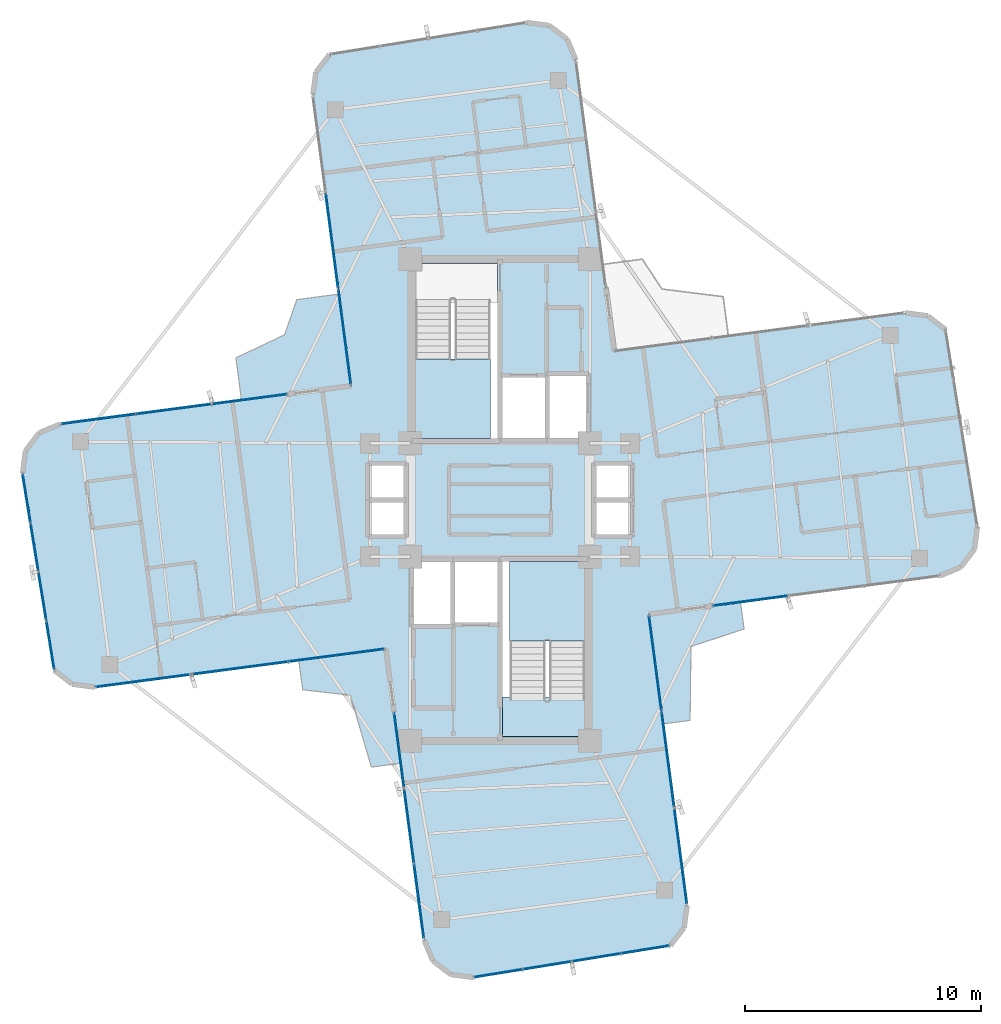
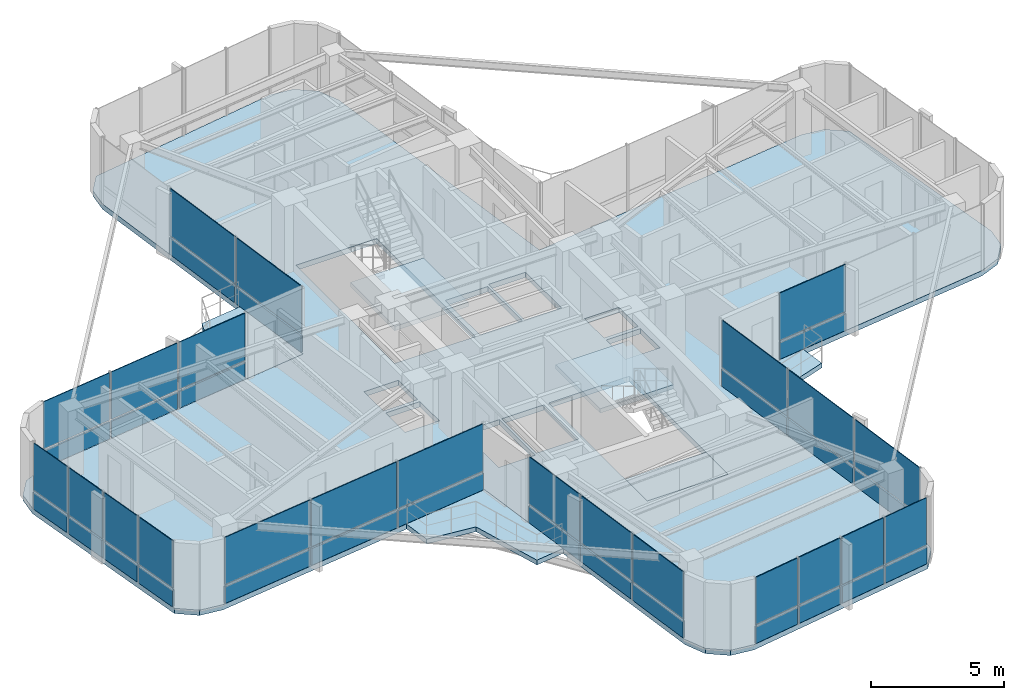
# One storey, part 17 of 22: 46 plates, 7 slabs, 10 elements without a shape of their own.
"""IFC4 building model written with IfcOpenShell, lengths in metres."""

from ifc_helpers import new_model, si_unit, direction, frame, origin, origin_2d, place, context, subcontext, project, spatial, polyline, rectangle, outline, extrude, source, transform, mapped, material, layer, layer_set, type_object, element, aggregate, save


model = new_model("IFC4")

# Units and contexts
model_context = context("Model", 3, precision=1e-05, world=origin(), true_north=direction((0.0, 1.0)))
body_context = subcontext(model_context, "Body", "Model", "MODEL_VIEW")
ifc_project = project(units=[si_unit("LENGTHUNIT", "METRE"), si_unit("AREAUNIT", "SQUARE_METRE"), si_unit("VOLUMEUNIT", "CUBIC_METRE"), si_unit("PLANEANGLEUNIT", "RADIAN"), si_unit("MASSUNIT", "GRAM", prefix="KILO")], contexts=[model_context])

# Site, building, storey
site_placement = place(None, origin())
site = spatial("IfcSite", under=ifc_project, at=site_placement, CompositionType="ELEMENT")
building_placement = place(site_placement, origin())
building = spatial("IfcBuilding", under=site, at=building_placement, Name="Sahyath Konkavel Grand Hotel", CompositionType="ELEMENT")
storey_placement = place(building_placement, frame((0.0, 0.0, 244.5)))
storey = spatial("IfcBuildingStorey", under=building, at=storey_placement, Name="L68", CompositionType="ELEMENT", Elevation=244.5)

# Slabs
ifc_material_1 = material(Name="Concrete C40/50", Category="concrete")
ifc_layer_1 = layer(ifc_material_1, 0.239990234375)
ifc_layer_set_1 = layer_set([ifc_layer_1], Name="Concrete C40/50")
slab_type_1 = type_object("IfcSlabType", Name="SLB-240", PredefinedType="FLOOR", material=ifc_layer_set_1)
slab_1_placement = place(storey_placement, frame((0.0, 0.0, -0.239990234375)))
element("IfcSlab", 1, at=slab_1_placement, inside=storey, type_object=slab_type_1, Name="L68 Structural Floor Slab", PredefinedType="FLOOR", context=body_context, shape_type="SweptSolid", body=[
    extrude(outline(polyline([(6.302001953125, -4.835693359375), (18.621826171875, -3.2138671875), (19.506591796875, -2.847412109375), (20.089599609375, -2.087646484375), (20.214599609375, -1.13818359375), (18.86474609375, 7.216064453125), (18.10498046875, 7.799072265625), (17.155517578125, 7.924072265625), (4.835693359375, 6.302001953125), (3.2138671875, 18.621826171875), (2.847412109375, 19.506591796875), (2.087646484375, 20.089599609375), (1.13818359375, 20.214599609375), (-7.216064453125, 18.86474609375), (-7.799072265625, 18.10498046875), (-7.924072265625, 17.155517578125), (-6.302001953125, 4.835693359375), (-18.621826171875, 3.2138671875), (-19.506591796875, 2.847412109375), (-20.089599609375, 2.087646484375), (-20.214599609375, 1.13818359375), (-18.86474609375, -7.216064453125), (-18.10498046875, -7.799072265625), (-17.155517578125, -7.924072265625), (-4.835693359375, -6.302001953125), (-3.2138671875, -18.621826171875), (-2.847412109375, -19.506591796875), (-2.087646484375, -20.089599609375), (-1.13818359375, -20.214599609375), (7.216064453125, -18.86474609375), (7.799072265625, -18.10498046875), (7.924072265625, -17.155517578125), (6.302001953125, -4.835693359375)]), holes=[polyline([(-3.6201171875, 2.580078125), (-0.10009765625, 2.580078125), (-0.10009765625, 10.02001953125), (-3.6201171875, 10.02001953125), (-3.6201171875, 2.580078125)]), polyline([(0.10009765625, -10.02001953125), (3.6201171875, -10.02001953125), (3.6201171875, -2.580078125), (0.10009765625, -2.580078125), (0.10009765625, -10.02001953125)]), polyline([(0.10009765625, 2.60009765625), (1.949951171875, 2.60009765625), (1.949951171875, 5.199951171875), (0.10009765625, 5.199951171875), (0.10009765625, 2.60009765625)]), polyline([(-1.949951171875, -5.199951171875), (-0.10009765625, -5.199951171875), (-0.10009765625, -2.60009765625), (-1.949951171875, -2.60009765625), (-1.949951171875, -5.199951171875)]), polyline([(2.050048828125, 2.60009765625), (3.64990234375, 2.60009765625), (3.64990234375, 5.300048828125), (2.050048828125, 5.300048828125), (2.050048828125, 2.60009765625)]), polyline([(-3.64990234375, -5.300048828125), (-2.050048828125, -5.300048828125), (-2.050048828125, -2.60009765625), (-3.64990234375, -2.60009765625), (-3.64990234375, -5.300048828125)]), polyline([(4.050048828125, 0.080078125), (5.550048828125, 0.080078125), (5.550048828125, 1.5400390625), (4.050048828125, 1.5400390625), (4.050048828125, 0.080078125)]), polyline([(4.050048828125, -1.5400390625), (5.550048828125, -1.5400390625), (5.550048828125, -0.080078125), (4.050048828125, -0.080078125), (4.050048828125, -1.5400390625)]), polyline([(-5.550048828125, 0.080078125), (-4.050048828125, 0.080078125), (-4.050048828125, 1.5400390625), (-5.550048828125, 1.5400390625), (-5.550048828125, 0.080078125)]), polyline([(-5.550048828125, -1.5400390625), (-4.050048828125, -1.5400390625), (-4.050048828125, -0.080078125), (-5.550048828125, -0.080078125), (-5.550048828125, -1.5400390625)])]), origin(), (0.0, 0.0, 1.0), 0.239990234375),
])
ifc_layer_2 = layer(ifc_material_1, 0.219970703125)
ifc_layer_set_2 = layer_set([ifc_layer_2], Name="Concrete C40/50")
slab_type_2 = type_object("IfcSlabType", Name="SLB-BALCONY-220", PredefinedType="FLOOR", material=ifc_layer_set_2)
slab_2_placement = place(storey_placement, frame((0.0, 0.0, -0.219970703125)))
element("IfcSlab", 2, at=slab_2_placement, inside=storey, type_object=slab_type_2, Name="L68 Winter-Garden Balcony NW", PredefinedType="FLOOR", context=body_context, shape_type="SweptSolid", body=[
    extrude(outline(polyline([(-6.302001953125, 4.835693359375), (-6.813232421875, 8.71826171875), (-8.60498046875, 8.482421875), (-9.118408203125, 6.99658203125), (-11.181884765625, 6.01611328125), (-10.946044921875, 4.224365234375), (-6.302001953125, 4.835693359375)])), origin(), (0.0, 0.0, 1.0), 0.219970703125),
])
slab_3_placement = place(storey_placement, frame((0.0, 0.0, -0.219970703125)))
element("IfcSlab", 3, at=slab_3_placement, inside=storey, type_object=slab_type_2, Name="L68 Winter-Garden Balcony SW", PredefinedType="FLOOR", context=body_context, shape_type="SweptSolid", body=[
    extrude(outline(polyline([(-4.835693359375, -6.302001953125), (-8.51904296875, -6.787109375), (-8.354736328125, -8.034912109375), (-6.3408203125, -8.26318359375), (-5.446044921875, -11.3095703125), (-4.1982421875, -11.145263671875), (-4.835693359375, -6.302001953125)])), origin(), (0.0, 0.0, 1.0), 0.219970703125),
])
slab_4_placement = place(storey_placement, frame((0.0, 0.0, -0.219970703125)))
element("IfcSlab", 4, at=slab_4_placement, inside=storey, type_object=slab_type_2, Name="L68 Winter-Garden Balcony SE", PredefinedType="FLOOR", context=body_context, shape_type="SweptSolid", body=[
    extrude(outline(polyline([(6.302001953125, -4.835693359375), (6.91357421875, -9.479736328125), (8.048583984375, -9.330322265625), (8.0859375, -6.20458984375), (10.333984375, -5.459716796875), (10.1845703125, -4.32470703125), (6.302001953125, -4.835693359375)])), origin(), (0.0, 0.0, 1.0), 0.219970703125),
])

# Stair, slab
stair_type = type_object("IfcStairType", Name="STR-ST16-335", PredefinedType="HALF_TURN_STAIR", material=ifc_material_1)
stair_1_placement = place(storey_placement, origin())
stair_1 = element("IfcStair", 5, at=stair_1_placement, inside=storey, type_object=stair_type, Name="L68 North Core Smokeproof Exit Stair ST-1", PredefinedType="HALF_TURN_STAIR")
ifc_layer_3 = layer(ifc_material_1, 0.199951171875)
ifc_layer_set_3 = layer_set([ifc_layer_3], Name="Concrete C40/50")
slab_type_3 = type_object("IfcSlabType", Name="SLB-STAIR-LND", PredefinedType="LANDING", material=ifc_layer_set_3)
slab_5_placement = place(storey_placement, frame((0.0, 0.0, 1.47509765625)))
slab_5 = element("IfcSlab", 6, at=slab_5_placement, type_object=slab_type_3, Name="ST-1 landing 1", PredefinedType="LANDING", context=body_context, shape_type="SweptSolid", body=[
    extrude(outline(polyline([(-3.60009765625, 5.9599609375), (-3.60009765625, 2.60009765625), (-0.39990234375, 2.60009765625), (-0.39990234375, 5.9599609375), (-3.60009765625, 5.9599609375)])), origin(), (0.0, 0.0, 1.0), 0.199951171875),
])
aggregate(stair_1, [slab_5])

stair_2_placement = place(storey_placement, origin())
stair_2 = element("IfcStair", 7, at=stair_2_placement, inside=storey, type_object=stair_type, Name="L68 South Core Smokeproof Exit Stair ST-2", PredefinedType="HALF_TURN_STAIR")
slab_6_placement = place(storey_placement, frame((0.0, 0.0, 1.47509765625)))
slab_6 = element("IfcSlab", 8, at=slab_6_placement, type_object=slab_type_3, Name="ST-2 landing 1", PredefinedType="LANDING", context=body_context, shape_type="SweptSolid", body=[
    extrude(outline(polyline([(3.60009765625, -5.9599609375), (3.60009765625, -2.60009765625), (0.39990234375, -2.60009765625), (0.39990234375, -5.9599609375), (3.60009765625, -5.9599609375)])), origin(), (0.0, 0.0, 1.0), 0.199951171875),
])
aggregate(stair_2, [slab_6])

# Slab
slab_7_placement = place(storey_placement, frame((0.0, 0.0, -0.199951171875)))
element("IfcSlab", 9, at=slab_7_placement, inside=storey, type_object=slab_type_3, Name="L68 Stair ST-2 Floor Landing Slab", PredefinedType="LANDING", context=body_context, shape_type="SweptSolid", body=[
    extrude(outline(polyline([(0.10009765625, -10.02001953125), (3.6201171875, -10.02001953125), (3.6201171875, -8.35009765625), (0.10009765625, -8.35009765625), (0.10009765625, -10.02001953125)])), origin(), (0.0, 0.0, 1.0), 0.199951171875),
])

# Curtain wall, plate
ifc_material_2 = material(Name="Anodised Bronze Aluminium & Low-E Glazing", Category="aluminium")
curtain_wall_type = type_object("IfcCurtainWallType", Name="CW-ZONE4", PredefinedType="NOTDEFINED", material=ifc_material_2)
curtain_wall_1_placement = place(storey_placement, origin())
curtain_wall_1 = element("IfcCurtainWall", 10, at=curtain_wall_1_placement, inside=storey, type_object=curtain_wall_type, Name="L68 Unitised Curtain Wall F0", PredefinedType="NOTDEFINED")
ifc_material_3 = material(Name="Warm Buff Sandstone Cladding", Category="masonry")
ifc_layer_4 = layer(ifc_material_3, 0.074951171875)
ifc_layer_set_4 = layer_set([ifc_layer_4], Name="Warm Buff Sandstone Cladding")
plate_type_1 = type_object("IfcPlateType", Name="PNL-SPANDREL-STONE", PredefinedType="SHEET", material=ifc_layer_set_4)
shared_shape_1 = source(origin(), body_context, "Body", "SweptSolid", [
    extrude(rectangle(XDim=3.13525390625, YDim=0.074951171875, at=origin_2d()), origin(), (0.0, 0.0, 1.0), 0.77001953125),
])
plate_1_placement = place(storey_placement, frame((10.612548828125, -4.268310546875, 0.0400390625), z_axis=(0.0, 0.0, 1.0), x_axis=(0.991444861374, 0.13052619222, 0.0)))
plate_1 = element("IfcPlate", 11, at=plate_1_placement, type_object=plate_type_1, Name="L68 Sandstone Relief Spandrel Panel F0-0", PredefinedType="SHEET", context=body_context, shape_type="MappedRepresentation", body=[
    mapped(shared_shape_1, transform((0.0, 0.0, 0.0), scale=1.0)),
])

# Curtain wall, plates
curtain_wall_2_placement = place(storey_placement, origin())
curtain_wall_2 = element("IfcCurtainWall", 12, at=curtain_wall_2_placement, inside=storey, type_object=curtain_wall_type, Name="L68 Unitised Curtain Wall F16", PredefinedType="NOTDEFINED")
plate_2_placement = place(storey_placement, frame((-10.612548828125, 4.268310546875, 0.0400390625), z_axis=(0.0, 0.0, 1.0), x_axis=(-0.991444861374, -0.13052619222, 0.0)))
plate_2 = element("IfcPlate", 13, at=plate_2_placement, type_object=plate_type_1, Name="L68 Sandstone Relief Spandrel Panel F16-0", PredefinedType="SHEET", context=body_context, shape_type="MappedRepresentation", body=[
    mapped(shared_shape_1, transform((0.0, 0.0, 0.0), scale=1.0)),
])
plate_3_placement = place(storey_placement, frame((-13.80029296875, 3.8486328125, 0.0400390625), z_axis=(0.0, 0.0, 1.0), x_axis=(-0.991444861374, -0.13052619222, 0.0)))
plate_3 = element("IfcPlate", 14, at=plate_3_placement, type_object=plate_type_1, Name="L68 Sandstone Relief Spandrel Panel F16-1", PredefinedType="SHEET", context=body_context, shape_type="MappedRepresentation", body=[
    mapped(shared_shape_1, transform((0.0, 0.0, 0.0), scale=1.0)),
])
plate_4_placement = place(storey_placement, frame((-16.98828125, 3.428955078125, 0.0400390625), z_axis=(0.0, 0.0, 1.0), x_axis=(-0.991444861374, -0.13052619222, 0.0)))
plate_4 = element("IfcPlate", 15, at=plate_4_placement, type_object=plate_type_1, Name="L68 Sandstone Relief Spandrel Panel F16-2", PredefinedType="SHEET", context=body_context, shape_type="MappedRepresentation", body=[
    mapped(shared_shape_1, transform((0.0, 0.0, 0.0), scale=1.0)),
])

curtain_wall_3_placement = place(storey_placement, origin())
curtain_wall_3 = element("IfcCurtainWall", 16, at=curtain_wall_3_placement, inside=storey, type_object=curtain_wall_type, Name="L68 Unitised Curtain Wall F24", PredefinedType="NOTDEFINED")
plate_5_placement = place(storey_placement, frame((-4.268310546875, -10.612548828125, 0.0400390625), z_axis=(0.0, 0.0, 1.0), x_axis=(0.13052619222, -0.991444861374, 0.0)))
plate_5 = element("IfcPlate", 17, at=plate_5_placement, type_object=plate_type_1, Name="L68 Sandstone Relief Spandrel Panel F24-0", PredefinedType="SHEET", context=body_context, shape_type="MappedRepresentation", body=[
    mapped(shared_shape_1, transform((0.0, 0.0, 0.0), scale=1.0)),
])
plate_6_placement = place(storey_placement, frame((-3.8486328125, -13.80029296875, 0.0400390625), z_axis=(0.0, 0.0, 1.0), x_axis=(0.13052619222, -0.991444861374, 0.0)))
plate_6 = element("IfcPlate", 18, at=plate_6_placement, type_object=plate_type_1, Name="L68 Sandstone Relief Spandrel Panel F24-1", PredefinedType="SHEET", context=body_context, shape_type="MappedRepresentation", body=[
    mapped(shared_shape_1, transform((0.0, 0.0, 0.0), scale=1.0)),
])
plate_7_placement = place(storey_placement, frame((-3.428955078125, -16.98828125, 0.0400390625), z_axis=(0.0, 0.0, 1.0), x_axis=(0.13052619222, -0.991444861374, 0.0)))
plate_7 = element("IfcPlate", 19, at=plate_7_placement, type_object=plate_type_1, Name="L68 Sandstone Relief Spandrel Panel F24-2", PredefinedType="SHEET", context=body_context, shape_type="MappedRepresentation", body=[
    mapped(shared_shape_1, transform((0.0, 0.0, 0.0), scale=1.0)),
])

# Plate
ifc_material_4 = material(Name="Low-E Solar Control Double Glazing", Category="glass")
ifc_layer_5 = layer(ifc_material_4, 0.035888671875)
ifc_layer_set_5 = layer_set([ifc_layer_5], Name="Low-E Solar Control Double Glazing")
plate_type_2 = type_object("IfcPlateType", Name="PNL-VISION-LOWE", PredefinedType="CURTAIN_PANEL", material=ifc_layer_set_5)
shared_shape_2 = source(origin(), body_context, "Body", "SweptSolid", [
    extrude(rectangle(XDim=3.13525390625, YDim=0.035888671875, at=origin_2d()), origin(), (0.0, 0.0, 1.0), 2.179931640625),
])
plate_8_placement = place(storey_placement, frame((10.612548828125, -4.268310546875, 0.89013671875), z_axis=(0.0, 0.0, 1.0), x_axis=(0.991444861374, 0.13052619222, 0.0)))
plate_8 = element("IfcPlate", 20, at=plate_8_placement, type_object=plate_type_2, Name="L68 Low-E Vision Glazing Panel F0-0", PredefinedType="CURTAIN_PANEL", context=body_context, shape_type="MappedRepresentation", body=[
    mapped(shared_shape_2, transform((0.0, 0.0, 0.0), scale=1.0)),
])

aggregate(curtain_wall_1, [plate_1, plate_8])

plate_9_placement = place(storey_placement, frame((-10.612548828125, 4.268310546875, 0.89013671875), z_axis=(0.0, 0.0, 1.0), x_axis=(-0.991444861374, -0.13052619222, 0.0)))
plate_9 = element("IfcPlate", 21, at=plate_9_placement, type_object=plate_type_2, Name="L68 Low-E Vision Glazing Panel F16-0", PredefinedType="CURTAIN_PANEL", context=body_context, shape_type="MappedRepresentation", body=[
    mapped(shared_shape_2, transform((0.0, 0.0, 0.0), scale=1.0)),
])

plate_10_placement = place(storey_placement, frame((-13.80029296875, 3.8486328125, 0.89013671875), z_axis=(0.0, 0.0, 1.0), x_axis=(-0.991444861374, -0.13052619222, 0.0)))
plate_10 = element("IfcPlate", 22, at=plate_10_placement, type_object=plate_type_2, Name="L68 Low-E Vision Glazing Panel F16-1", PredefinedType="CURTAIN_PANEL", context=body_context, shape_type="MappedRepresentation", body=[
    mapped(shared_shape_2, transform((0.0, 0.0, 0.0), scale=1.0)),
])

plate_11_placement = place(storey_placement, frame((-16.98828125, 3.428955078125, 0.89013671875), z_axis=(0.0, 0.0, 1.0), x_axis=(-0.991444861374, -0.13052619222, 0.0)))
plate_11 = element("IfcPlate", 23, at=plate_11_placement, type_object=plate_type_2, Name="L68 Low-E Vision Glazing Panel F16-2", PredefinedType="CURTAIN_PANEL", context=body_context, shape_type="MappedRepresentation", body=[
    mapped(shared_shape_2, transform((0.0, 0.0, 0.0), scale=1.0)),
])

aggregate(curtain_wall_2, [plate_2, plate_9, plate_3, plate_10, plate_4, plate_11])

plate_12_placement = place(storey_placement, frame((-4.268310546875, -10.612548828125, 0.89013671875), z_axis=(0.0, 0.0, 1.0), x_axis=(0.13052619222, -0.991444861374, 0.0)))
plate_12 = element("IfcPlate", 24, at=plate_12_placement, type_object=plate_type_2, Name="L68 Low-E Vision Glazing Panel F24-0", PredefinedType="CURTAIN_PANEL", context=body_context, shape_type="MappedRepresentation", body=[
    mapped(shared_shape_2, transform((0.0, 0.0, 0.0), scale=1.0)),
])

plate_13_placement = place(storey_placement, frame((-3.8486328125, -13.80029296875, 0.89013671875), z_axis=(0.0, 0.0, 1.0), x_axis=(0.13052619222, -0.991444861374, 0.0)))
plate_13 = element("IfcPlate", 25, at=plate_13_placement, type_object=plate_type_2, Name="L68 Low-E Vision Glazing Panel F24-1", PredefinedType="CURTAIN_PANEL", context=body_context, shape_type="MappedRepresentation", body=[
    mapped(shared_shape_2, transform((0.0, 0.0, 0.0), scale=1.0)),
])

plate_14_placement = place(storey_placement, frame((-3.428955078125, -16.98828125, 0.89013671875), z_axis=(0.0, 0.0, 1.0), x_axis=(0.13052619222, -0.991444861374, 0.0)))
plate_14 = element("IfcPlate", 26, at=plate_14_placement, type_object=plate_type_2, Name="L68 Low-E Vision Glazing Panel F24-2", PredefinedType="CURTAIN_PANEL", context=body_context, shape_type="MappedRepresentation", body=[
    mapped(shared_shape_2, transform((0.0, 0.0, 0.0), scale=1.0)),
])

aggregate(curtain_wall_3, [plate_5, plate_12, plate_6, plate_13, plate_7, plate_14])

# Curtain wall, plates
curtain_wall_4_placement = place(storey_placement, origin())
curtain_wall_4 = element("IfcCurtainWall", 27, at=curtain_wall_4_placement, inside=storey, type_object=curtain_wall_type, Name="L68 Unitised Curtain Wall F20", PredefinedType="NOTDEFINED")
shared_shape_3 = source(origin(), body_context, "Body", "SweptSolid", [
    extrude(rectangle(XDim=2.015625, YDim=0.074951171875, at=origin_2d()), origin(), (0.0, 0.0, 1.0), 0.77001953125),
])
plate_15_placement = place(storey_placement, frame((-20.041015625, 0.064208984375, 0.0400390625), z_axis=(0.0, 0.0, 1.0), x_axis=(0.159502142799, -0.987197582271, 0.0)))
plate_15 = element("IfcPlate", 28, at=plate_15_placement, type_object=plate_type_1, Name="L68 Sandstone Relief Spandrel Panel F20-0", PredefinedType="SHEET", context=body_context, shape_type="MappedRepresentation", body=[
    mapped(shared_shape_3, transform((0.0, 0.0, 0.0), scale=1.0)),
])
plate_16_placement = place(storey_placement, frame((-19.706787109375, -2.00439453125, 0.0400390625), z_axis=(0.0, 0.0, 1.0), x_axis=(0.159502142799, -0.987197582271, 0.0)))
plate_16 = element("IfcPlate", 29, at=plate_16_placement, type_object=plate_type_1, Name="L68 Sandstone Relief Spandrel Panel F20-1", PredefinedType="SHEET", context=body_context, shape_type="MappedRepresentation", body=[
    mapped(shared_shape_3, transform((0.0, 0.0, 0.0), scale=1.0)),
])
plate_17_placement = place(storey_placement, frame((-19.37255859375, -4.0732421875, 0.0400390625), z_axis=(0.0, 0.0, 1.0), x_axis=(0.159502142799, -0.987197582271, 0.0)))
plate_17 = element("IfcPlate", 30, at=plate_17_placement, type_object=plate_type_1, Name="L68 Sandstone Relief Spandrel Panel F20-2", PredefinedType="SHEET", context=body_context, shape_type="MappedRepresentation", body=[
    mapped(shared_shape_3, transform((0.0, 0.0, 0.0), scale=1.0)),
])
plate_18_placement = place(storey_placement, frame((-19.0380859375, -6.14208984375, 0.0400390625), z_axis=(0.0, 0.0, 1.0), x_axis=(0.159502142799, -0.987197582271, 0.0)))
plate_18 = element("IfcPlate", 31, at=plate_18_placement, type_object=plate_type_1, Name="L68 Sandstone Relief Spandrel Panel F20-3", PredefinedType="SHEET", context=body_context, shape_type="MappedRepresentation", body=[
    mapped(shared_shape_3, transform((0.0, 0.0, 0.0), scale=1.0)),
])

curtain_wall_5_placement = place(storey_placement, origin())
curtain_wall_5 = element("IfcCurtainWall", 32, at=curtain_wall_5_placement, inside=storey, type_object=curtain_wall_type, Name="L68 Unitised Curtain Wall F28", PredefinedType="NOTDEFINED")
plate_19_placement = place(storey_placement, frame((-0.064208984375, -20.041015625, 0.0400390625), z_axis=(0.0, 0.0, 1.0), x_axis=(0.987197582271, 0.159502142799, 0.0)))
plate_19 = element("IfcPlate", 33, at=plate_19_placement, type_object=plate_type_1, Name="L68 Sandstone Relief Spandrel Panel F28-0", PredefinedType="SHEET", context=body_context, shape_type="MappedRepresentation", body=[
    mapped(shared_shape_3, transform((0.0, 0.0, 0.0), scale=1.0)),
])
plate_20_placement = place(storey_placement, frame((2.00439453125, -19.706787109375, 0.0400390625), z_axis=(0.0, 0.0, 1.0), x_axis=(0.987197582271, 0.159502142799, 0.0)))
plate_20 = element("IfcPlate", 34, at=plate_20_placement, type_object=plate_type_1, Name="L68 Sandstone Relief Spandrel Panel F28-1", PredefinedType="SHEET", context=body_context, shape_type="MappedRepresentation", body=[
    mapped(shared_shape_3, transform((0.0, 0.0, 0.0), scale=1.0)),
])
plate_21_placement = place(storey_placement, frame((4.0732421875, -19.37255859375, 0.0400390625), z_axis=(0.0, 0.0, 1.0), x_axis=(0.987197582271, 0.159502142799, 0.0)))
plate_21 = element("IfcPlate", 35, at=plate_21_placement, type_object=plate_type_1, Name="L68 Sandstone Relief Spandrel Panel F28-2", PredefinedType="SHEET", context=body_context, shape_type="MappedRepresentation", body=[
    mapped(shared_shape_3, transform((0.0, 0.0, 0.0), scale=1.0)),
])
plate_22_placement = place(storey_placement, frame((6.14208984375, -19.0380859375, 0.0400390625), z_axis=(0.0, 0.0, 1.0), x_axis=(0.987197582271, 0.159502142799, 0.0)))
plate_22 = element("IfcPlate", 36, at=plate_22_placement, type_object=plate_type_1, Name="L68 Sandstone Relief Spandrel Panel F28-3", PredefinedType="SHEET", context=body_context, shape_type="MappedRepresentation", body=[
    mapped(shared_shape_3, transform((0.0, 0.0, 0.0), scale=1.0)),
])

# Plate
shared_shape_4 = source(origin(), body_context, "Body", "SweptSolid", [
    extrude(rectangle(XDim=2.015625, YDim=0.035888671875, at=origin_2d()), origin(), (0.0, 0.0, 1.0), 2.179931640625),
])
plate_23_placement = place(storey_placement, frame((-20.041015625, 0.064208984375, 0.89013671875), z_axis=(0.0, 0.0, 1.0), x_axis=(0.159502142799, -0.987197582271, 0.0)))
plate_23 = element("IfcPlate", 37, at=plate_23_placement, type_object=plate_type_2, Name="L68 Low-E Vision Glazing Panel F20-0", PredefinedType="CURTAIN_PANEL", context=body_context, shape_type="MappedRepresentation", body=[
    mapped(shared_shape_4, transform((0.0, 0.0, 0.0), scale=1.0)),
])

plate_24_placement = place(storey_placement, frame((-19.706787109375, -2.00439453125, 0.89013671875), z_axis=(0.0, 0.0, 1.0), x_axis=(0.159502142799, -0.987197582271, 0.0)))
plate_24 = element("IfcPlate", 38, at=plate_24_placement, type_object=plate_type_2, Name="L68 Low-E Vision Glazing Panel F20-1", PredefinedType="CURTAIN_PANEL", context=body_context, shape_type="MappedRepresentation", body=[
    mapped(shared_shape_4, transform((0.0, 0.0, 0.0), scale=1.0)),
])

plate_25_placement = place(storey_placement, frame((-19.37255859375, -4.0732421875, 0.89013671875), z_axis=(0.0, 0.0, 1.0), x_axis=(0.159502142799, -0.987197582271, 0.0)))
plate_25 = element("IfcPlate", 39, at=plate_25_placement, type_object=plate_type_2, Name="L68 Low-E Vision Glazing Panel F20-2", PredefinedType="CURTAIN_PANEL", context=body_context, shape_type="MappedRepresentation", body=[
    mapped(shared_shape_4, transform((0.0, 0.0, 0.0), scale=1.0)),
])

plate_26_placement = place(storey_placement, frame((-19.0380859375, -6.14208984375, 0.89013671875), z_axis=(0.0, 0.0, 1.0), x_axis=(0.159502142799, -0.987197582271, 0.0)))
plate_26 = element("IfcPlate", 40, at=plate_26_placement, type_object=plate_type_2, Name="L68 Low-E Vision Glazing Panel F20-3", PredefinedType="CURTAIN_PANEL", context=body_context, shape_type="MappedRepresentation", body=[
    mapped(shared_shape_4, transform((0.0, 0.0, 0.0), scale=1.0)),
])

aggregate(curtain_wall_4, [plate_15, plate_23, plate_16, plate_24, plate_17, plate_25, plate_18, plate_26])

plate_27_placement = place(storey_placement, frame((-0.064208984375, -20.041015625, 0.89013671875), z_axis=(0.0, 0.0, 1.0), x_axis=(0.987197582271, 0.159502142799, 0.0)))
plate_27 = element("IfcPlate", 41, at=plate_27_placement, type_object=plate_type_2, Name="L68 Low-E Vision Glazing Panel F28-0", PredefinedType="CURTAIN_PANEL", context=body_context, shape_type="MappedRepresentation", body=[
    mapped(shared_shape_4, transform((0.0, 0.0, 0.0), scale=1.0)),
])

plate_28_placement = place(storey_placement, frame((2.00439453125, -19.706787109375, 0.89013671875), z_axis=(0.0, 0.0, 1.0), x_axis=(0.987197582271, 0.159502142799, 0.0)))
plate_28 = element("IfcPlate", 42, at=plate_28_placement, type_object=plate_type_2, Name="L68 Low-E Vision Glazing Panel F28-1", PredefinedType="CURTAIN_PANEL", context=body_context, shape_type="MappedRepresentation", body=[
    mapped(shared_shape_4, transform((0.0, 0.0, 0.0), scale=1.0)),
])

plate_29_placement = place(storey_placement, frame((4.0732421875, -19.37255859375, 0.89013671875), z_axis=(0.0, 0.0, 1.0), x_axis=(0.987197582271, 0.159502142799, 0.0)))
plate_29 = element("IfcPlate", 43, at=plate_29_placement, type_object=plate_type_2, Name="L68 Low-E Vision Glazing Panel F28-2", PredefinedType="CURTAIN_PANEL", context=body_context, shape_type="MappedRepresentation", body=[
    mapped(shared_shape_4, transform((0.0, 0.0, 0.0), scale=1.0)),
])

plate_30_placement = place(storey_placement, frame((6.14208984375, -19.0380859375, 0.89013671875), z_axis=(0.0, 0.0, 1.0), x_axis=(0.987197582271, 0.159502142799, 0.0)))
plate_30 = element("IfcPlate", 44, at=plate_30_placement, type_object=plate_type_2, Name="L68 Low-E Vision Glazing Panel F28-3", PredefinedType="CURTAIN_PANEL", context=body_context, shape_type="MappedRepresentation", body=[
    mapped(shared_shape_4, transform((0.0, 0.0, 0.0), scale=1.0)),
])

aggregate(curtain_wall_5, [plate_19, plate_27, plate_20, plate_28, plate_21, plate_29, plate_22, plate_30])

# Curtain wall, plates
curtain_wall_6_placement = place(storey_placement, origin())
curtain_wall_6 = element("IfcCurtainWall", 45, at=curtain_wall_6_placement, inside=storey, type_object=curtain_wall_type, Name="L68 Unitised Curtain Wall F15", PredefinedType="NOTDEFINED")
shared_shape_5 = source(origin(), body_context, "Body", "SweptSolid", [
    extrude(rectangle(XDim=4.035400390625, YDim=0.074951171875, at=origin_2d()), origin(), (0.0, 0.0, 1.0), 0.77001953125),
])
plate_31_placement = place(storey_placement, frame((-7.113037109375, 10.99560546875, 0.0400390625), z_axis=(0.0, 0.0, 1.0), x_axis=(0.13052619222, -0.991444861374, 0.0)))
plate_31 = element("IfcPlate", 46, at=plate_31_placement, type_object=plate_type_1, Name="L68 Sandstone Relief Spandrel Panel F15-1", PredefinedType="SHEET", context=body_context, shape_type="MappedRepresentation", body=[
    mapped(shared_shape_5, transform((0.0, 0.0, 0.0), scale=1.0)),
])
plate_32_placement = place(storey_placement, frame((-6.575927734375, 6.91552734375, 0.0400390625), z_axis=(0.0, 0.0, 1.0), x_axis=(0.13052619222, -0.991444861374, 0.0)))
plate_32 = element("IfcPlate", 47, at=plate_32_placement, type_object=plate_type_1, Name="L68 Sandstone Relief Spandrel Panel F15-2", PredefinedType="SHEET", context=body_context, shape_type="MappedRepresentation", body=[
    mapped(shared_shape_5, transform((0.0, 0.0, 0.0), scale=1.0)),
])

curtain_wall_7_placement = place(storey_placement, origin())
curtain_wall_7 = element("IfcCurtainWall", 48, at=curtain_wall_7_placement, inside=storey, type_object=curtain_wall_type, Name="L68 Unitised Curtain Wall F23", PredefinedType="NOTDEFINED")
plate_33_placement = place(storey_placement, frame((-15.07568359375, -7.650146484375, 0.0400390625), z_axis=(0.0, 0.0, 1.0), x_axis=(0.991444861374, 0.13052619222, 0.0)))
plate_33 = element("IfcPlate", 49, at=plate_33_placement, type_object=plate_type_1, Name="L68 Sandstone Relief Spandrel Panel F23-0", PredefinedType="SHEET", context=body_context, shape_type="MappedRepresentation", body=[
    mapped(shared_shape_5, transform((0.0, 0.0, 0.0), scale=1.0)),
])
plate_34_placement = place(storey_placement, frame((-10.99560546875, -7.113037109375, 0.0400390625), z_axis=(0.0, 0.0, 1.0), x_axis=(0.991444861374, 0.13052619222, 0.0)))
plate_34 = element("IfcPlate", 50, at=plate_34_placement, type_object=plate_type_1, Name="L68 Sandstone Relief Spandrel Panel F23-1", PredefinedType="SHEET", context=body_context, shape_type="MappedRepresentation", body=[
    mapped(shared_shape_5, transform((0.0, 0.0, 0.0), scale=1.0)),
])
plate_35_placement = place(storey_placement, frame((-6.91552734375, -6.575927734375, 0.0400390625), z_axis=(0.0, 0.0, 1.0), x_axis=(0.991444861374, 0.13052619222, 0.0)))
plate_35 = element("IfcPlate", 51, at=plate_35_placement, type_object=plate_type_1, Name="L68 Sandstone Relief Spandrel Panel F23-2", PredefinedType="SHEET", context=body_context, shape_type="MappedRepresentation", body=[
    mapped(shared_shape_5, transform((0.0, 0.0, 0.0), scale=1.0)),
])

curtain_wall_8_placement = place(storey_placement, origin())
curtain_wall_8 = element("IfcCurtainWall", 52, at=curtain_wall_8_placement, inside=storey, type_object=curtain_wall_type, Name="L68 Unitised Curtain Wall F31", PredefinedType="NOTDEFINED")
plate_36_placement = place(storey_placement, frame((7.650146484375, -15.07568359375, 0.0400390625), z_axis=(0.0, 0.0, 1.0), x_axis=(-0.13052619222, 0.991444861374, 0.0)))
plate_36 = element("IfcPlate", 53, at=plate_36_placement, type_object=plate_type_1, Name="L68 Sandstone Relief Spandrel Panel F31-0", PredefinedType="SHEET", context=body_context, shape_type="MappedRepresentation", body=[
    mapped(shared_shape_5, transform((0.0, 0.0, 0.0), scale=1.0)),
])
plate_37_placement = place(storey_placement, frame((7.113037109375, -10.99560546875, 0.0400390625), z_axis=(0.0, 0.0, 1.0), x_axis=(-0.13052619222, 0.991444861374, 0.0)))
plate_37 = element("IfcPlate", 54, at=plate_37_placement, type_object=plate_type_1, Name="L68 Sandstone Relief Spandrel Panel F31-1", PredefinedType="SHEET", context=body_context, shape_type="MappedRepresentation", body=[
    mapped(shared_shape_5, transform((0.0, 0.0, 0.0), scale=1.0)),
])
plate_38_placement = place(storey_placement, frame((6.575927734375, -6.91552734375, 0.0400390625), z_axis=(0.0, 0.0, 1.0), x_axis=(-0.13052619222, 0.991444861374, 0.0)))
plate_38 = element("IfcPlate", 55, at=plate_38_placement, type_object=plate_type_1, Name="L68 Sandstone Relief Spandrel Panel F31-2", PredefinedType="SHEET", context=body_context, shape_type="MappedRepresentation", body=[
    mapped(shared_shape_5, transform((0.0, 0.0, 0.0), scale=1.0)),
])

# Plate
shared_shape_6 = source(origin(), body_context, "Body", "SweptSolid", [
    extrude(rectangle(XDim=4.035400390625, YDim=0.035888671875, at=origin_2d()), origin(), (0.0, 0.0, 1.0), 2.179931640625),
])
plate_39_placement = place(storey_placement, frame((-7.113037109375, 10.99560546875, 0.89013671875), z_axis=(0.0, 0.0, 1.0), x_axis=(0.13052619222, -0.991444861374, 0.0)))
plate_39 = element("IfcPlate", 56, at=plate_39_placement, type_object=plate_type_2, Name="L68 Low-E Vision Glazing Panel F15-1", PredefinedType="CURTAIN_PANEL", context=body_context, shape_type="MappedRepresentation", body=[
    mapped(shared_shape_6, transform((0.0, 0.0, 0.0), scale=1.0)),
])

plate_40_placement = place(storey_placement, frame((-6.575927734375, 6.91552734375, 0.89013671875), z_axis=(0.0, 0.0, 1.0), x_axis=(0.13052619222, -0.991444861374, 0.0)))
plate_40 = element("IfcPlate", 57, at=plate_40_placement, type_object=plate_type_2, Name="L68 Low-E Vision Glazing Panel F15-2", PredefinedType="CURTAIN_PANEL", context=body_context, shape_type="MappedRepresentation", body=[
    mapped(shared_shape_6, transform((0.0, 0.0, 0.0), scale=1.0)),
])

aggregate(curtain_wall_6, [plate_31, plate_39, plate_32, plate_40])

plate_41_placement = place(storey_placement, frame((-15.07568359375, -7.650146484375, 0.89013671875), z_axis=(0.0, 0.0, 1.0), x_axis=(0.991444861374, 0.13052619222, 0.0)))
plate_41 = element("IfcPlate", 58, at=plate_41_placement, type_object=plate_type_2, Name="L68 Low-E Vision Glazing Panel F23-0", PredefinedType="CURTAIN_PANEL", context=body_context, shape_type="MappedRepresentation", body=[
    mapped(shared_shape_6, transform((0.0, 0.0, 0.0), scale=1.0)),
])

plate_42_placement = place(storey_placement, frame((-10.99560546875, -7.113037109375, 0.89013671875), z_axis=(0.0, 0.0, 1.0), x_axis=(0.991444861374, 0.13052619222, 0.0)))
plate_42 = element("IfcPlate", 59, at=plate_42_placement, type_object=plate_type_2, Name="L68 Low-E Vision Glazing Panel F23-1", PredefinedType="CURTAIN_PANEL", context=body_context, shape_type="MappedRepresentation", body=[
    mapped(shared_shape_6, transform((0.0, 0.0, 0.0), scale=1.0)),
])

plate_43_placement = place(storey_placement, frame((-6.91552734375, -6.575927734375, 0.89013671875), z_axis=(0.0, 0.0, 1.0), x_axis=(0.991444861374, 0.13052619222, 0.0)))
plate_43 = element("IfcPlate", 60, at=plate_43_placement, type_object=plate_type_2, Name="L68 Low-E Vision Glazing Panel F23-2", PredefinedType="CURTAIN_PANEL", context=body_context, shape_type="MappedRepresentation", body=[
    mapped(shared_shape_6, transform((0.0, 0.0, 0.0), scale=1.0)),
])

aggregate(curtain_wall_7, [plate_33, plate_41, plate_34, plate_42, plate_35, plate_43])

plate_44_placement = place(storey_placement, frame((7.650146484375, -15.07568359375, 0.89013671875), z_axis=(0.0, 0.0, 1.0), x_axis=(-0.13052619222, 0.991444861374, 0.0)))
plate_44 = element("IfcPlate", 61, at=plate_44_placement, type_object=plate_type_2, Name="L68 Low-E Vision Glazing Panel F31-0", PredefinedType="CURTAIN_PANEL", context=body_context, shape_type="MappedRepresentation", body=[
    mapped(shared_shape_6, transform((0.0, 0.0, 0.0), scale=1.0)),
])

plate_45_placement = place(storey_placement, frame((7.113037109375, -10.99560546875, 0.89013671875), z_axis=(0.0, 0.0, 1.0), x_axis=(-0.13052619222, 0.991444861374, 0.0)))
plate_45 = element("IfcPlate", 62, at=plate_45_placement, type_object=plate_type_2, Name="L68 Low-E Vision Glazing Panel F31-1", PredefinedType="CURTAIN_PANEL", context=body_context, shape_type="MappedRepresentation", body=[
    mapped(shared_shape_6, transform((0.0, 0.0, 0.0), scale=1.0)),
])

plate_46_placement = place(storey_placement, frame((6.575927734375, -6.91552734375, 0.89013671875), z_axis=(0.0, 0.0, 1.0), x_axis=(-0.13052619222, 0.991444861374, 0.0)))
plate_46 = element("IfcPlate", 63, at=plate_46_placement, type_object=plate_type_2, Name="L68 Low-E Vision Glazing Panel F31-2", PredefinedType="CURTAIN_PANEL", context=body_context, shape_type="MappedRepresentation", body=[
    mapped(shared_shape_6, transform((0.0, 0.0, 0.0), scale=1.0)),
])

aggregate(curtain_wall_8, [plate_36, plate_44, plate_37, plate_45, plate_38, plate_46])

save(model, "model.ifc")
